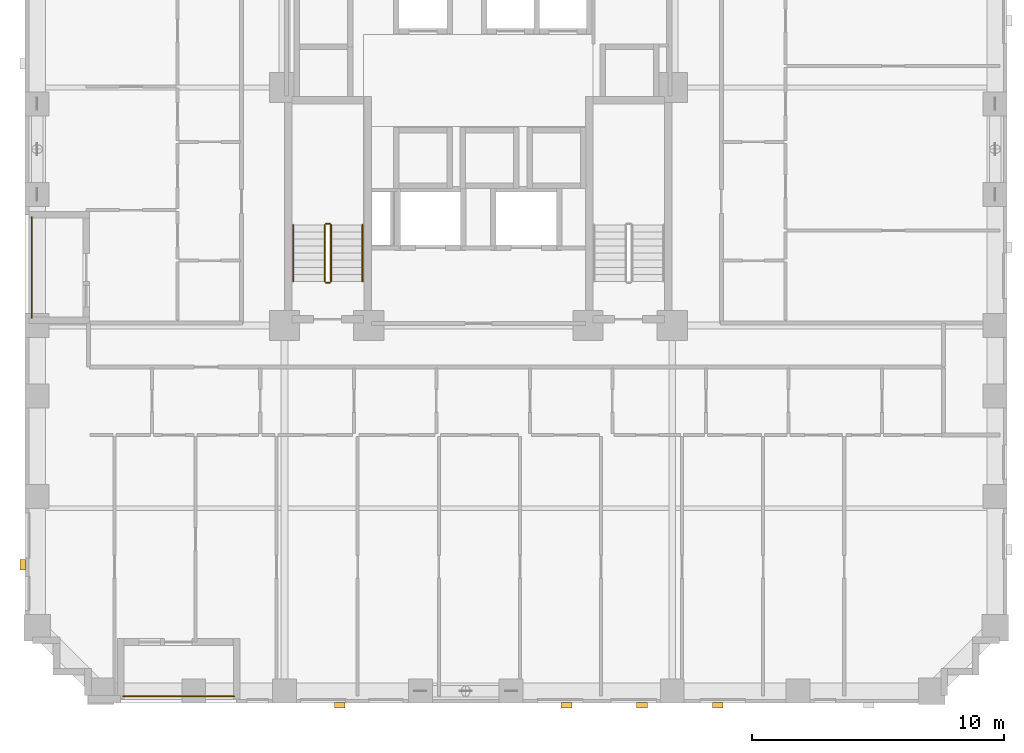
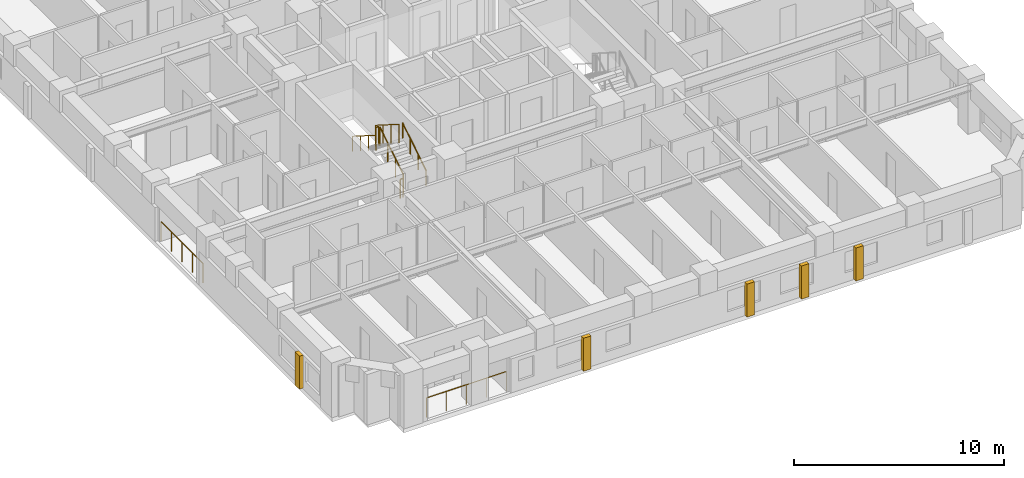
# One storey, part 12 of 14: 8 railings, 5 coverings.
"""IFC4 building model written with IfcOpenShell, lengths in metres."""

from ifc_helpers import new_model, si_unit, derived_unit, direction, frame, origin, origin_2d, place, context, subcontext, project, spatial, rectangle, circle, extrude, material, layer, layer_set, type_object, element, save


model = new_model("IFC4")

# Units and contexts
model_context = context("Model", 3, precision=1e-05, world=origin(), true_north=direction((0.0, 1.0)))
body_context = subcontext(model_context, "Body", "Model", "MODEL_VIEW")
ifc_project = project(units=[si_unit("LENGTHUNIT", "METRE"), si_unit("AREAUNIT", "SQUARE_METRE"), si_unit("VOLUMEUNIT", "CUBIC_METRE"), si_unit("PLANEANGLEUNIT", "RADIAN"), si_unit("MASSUNIT", "GRAM", prefix="KILO"), derived_unit("THERMALTRANSMITTANCEUNIT", [(si_unit("MASSUNIT", "GRAM", prefix="KILO"), 1), (si_unit("TIMEUNIT", "SECOND"), -3), (si_unit("THERMODYNAMICTEMPERATUREUNIT", "KELVIN"), -1)])], contexts=[model_context])

# Site, building, storey
site_placement = place(None, origin())
site = spatial("IfcSite", under=ifc_project, at=site_placement, CompositionType="ELEMENT")
building_placement = place(site_placement, origin())
building = spatial("IfcBuilding", under=site, at=building_placement, Name="Korrvale Station Residences", CompositionType="ELEMENT")
storey_placement = place(building_placement, frame((0.0, 0.0, 29.0)))
storey = spatial("IfcBuildingStorey", under=building, at=storey_placement, Name="L06", CompositionType="ELEMENT", Elevation=29.0)

# Coverings
ifc_material_1 = material(Name="Architectural precast concrete C45/55", Category="concrete")
ifc_layer = layer(ifc_material_1, 0.219970703125, Name="Architectural precast concrete C45/55")
ifc_layer_set = layer_set([ifc_layer], Name="Architectural precast concrete C45/55")
covering_type = type_object("IfcCoveringType", Name="COV-PIER-400", PredefinedType="CLADDING", material=ifc_layer_set)
for number, where, z_axis, x_axis, name in (
    (1, (35.0, -0.090087890625, 0.02490234375), (0.0, 0.0, 1.0), (1.0, 0.0, 0.0), "L06 Architectural Precast Facade Pier 02"),
    (2, (32.0, -0.090087890625, 0.02490234375), (0.0, 0.0, 1.0), (1.0, 0.0, 0.0), "L06 Architectural Precast Facade Pier 03"),
    (3, (29.0, -0.090087890625, 0.02490234375), (0.0, 0.0, 1.0), (1.0, 0.0, 0.0), "L06 Architectural Precast Facade Pier 04"),
    (4, (20.0, -0.090087890625, 0.02490234375), (0.0, 0.0, 1.0), (1.0, 0.0, 0.0), "L06 Architectural Precast Facade Pier 05"),
    (5, (7.409912109375, 5.5, 0.02490234375), (0.0, 0.0, 1.0), (0.0, 1.0, 0.0), "L06 Architectural Precast Facade Pier 12"),
):
    element("IfcCovering", number, at=place(storey_placement, frame(where, z_axis=z_axis, x_axis=x_axis)), inside=storey, type_object=covering_type, Name=name, PredefinedType="CLADDING", context=body_context, shape_type="SweptSolid", body=[
        extrude(rectangle(XDim=0.419921875, YDim=0.219970703125, at=origin_2d()), origin(), (0.0, 0.0, 1.0), 1.925048828125),
    ])

# Railings
ifc_material_2 = material(Name="Powder-coated aluminium picket loggia guard", Category="aluminium")
railing_type_1 = type_object("IfcRailingType", Name="RLG-BAL-1150", PredefinedType="GUARDRAIL", material=ifc_material_2)
railing_1_placement = place(storey_placement, frame((11.39990234375, 0.27001953125, 0.0)))
element("IfcRailing", 6, at=railing_1_placement, inside=storey, type_object=railing_type_1, Name="L06 Recessed Loggia Guardrail BAL-L06-S1", PredefinedType="GUARDRAIL", context=body_context, shape_type="SweptSolid", body=[
    extrude(circle(Radius=0.02392578125, at=origin_2d()), frame((0.0, 0.0, 1.1259765625), z_axis=(1.0, 0.0, 0.0), x_axis=(0.0, 1.0, 0.0)), (0.0, 0.0, 1.0), 4.400146484375),
    extrude(circle(Radius=0.02099609375, at=origin_2d()), origin(), (0.0, 0.0, 1.0), 1.101806640625),
    extrude(circle(Radius=0.02099609375, at=origin_2d()), frame((1.10009765625, 0.0, 0.0)), (0.0, 0.0, 1.0), 1.101806640625),
    extrude(circle(Radius=0.02099609375, at=origin_2d()), frame((2.2001953125, 0.0, 0.0)), (0.0, 0.0, 1.0), 1.101806640625),
    extrude(circle(Radius=0.02099609375, at=origin_2d()), frame((3.300048828125, 0.0, 0.0)), (0.0, 0.0, 1.0), 1.101806640625),
    extrude(circle(Radius=0.02099609375, at=origin_2d()), frame((4.400146484375, 0.0, 0.0)), (0.0, 0.0, 1.0), 1.101806640625),
])
railing_2_placement = place(storey_placement, frame((7.77001953125, 15.300048828125, 0.0)))
element("IfcRailing", 7, at=railing_2_placement, inside=storey, type_object=railing_type_1, Name="L06 Recessed Loggia Guardrail BAL-L06-W1", PredefinedType="GUARDRAIL", context=body_context, shape_type="SweptSolid", body=[
    extrude(circle(Radius=0.02392578125, at=origin_2d()), frame((0.0, 0.0, 1.1259765625), z_axis=(0.0, 1.0, 0.0), x_axis=(-1.0, 0.0, 0.0)), (0.0, 0.0, 1.0), 4.0),
    extrude(circle(Radius=0.02099609375, at=origin_2d()), origin(), (0.0, 0.0, 1.0), 1.101806640625),
    extrude(circle(Radius=0.02099609375, at=origin_2d()), frame((0.0, 1.0, 0.0)), (0.0, 0.0, 1.0), 1.101806640625),
    extrude(circle(Radius=0.02099609375, at=origin_2d()), frame((0.0, 2.0, 0.0)), (0.0, 0.0, 1.0), 1.101806640625),
    extrude(circle(Radius=0.02099609375, at=origin_2d()), frame((0.0, 3.0, 0.0)), (0.0, 0.0, 1.0), 1.101806640625),
    extrude(circle(Radius=0.02099609375, at=origin_2d()), frame((0.0, 4.0, 0.0)), (0.0, 0.0, 1.0), 1.101806640625),
])
ifc_material_3 = material(Name="Brushed stainless-steel continuous stair handrail", Category="steel")
railing_type_2 = type_object("IfcRailingType", Name="RLG-SHND-900", PredefinedType="HANDRAIL", material=ifc_material_3)
railing_3_placement = place(storey_placement, frame((20.89990234375, 16.75, 0.177734375)))
element("IfcRailing", 8, at=railing_3_placement, inside=storey, type_object=railing_type_2, Name="L06 ST-1 stair handrail 1", PredefinedType="HANDRAIL", context=body_context, shape_type="SweptSolid", body=[
    extrude(circle(Radius=0.02392578125, at=origin_2d()), frame((0.0, 0.0, 0.8759765625), z_axis=(0.0, 0.84418770128, 0.536047689118), x_axis=(-1.0, 0.0, 0.0)), (0.0, 0.0, 1.0), 2.6533203125),
    extrude(circle(Radius=0.02099609375, at=origin_2d()), origin(), (0.0, 0.0, 1.0), 0.851806640625),
    extrude(circle(Radius=0.02099609375, at=origin_2d()), frame((0.0, 0.74658203125, 0.47412109375)), (0.0, 0.0, 1.0), 0.851806640625),
    extrude(circle(Radius=0.02099609375, at=origin_2d()), frame((0.0, 1.493408203125, 0.9482421875)), (0.0, 0.0, 1.0), 0.851806640625),
    extrude(circle(Radius=0.02099609375, at=origin_2d()), frame((0.0, 2.239990234375, 1.42236328125)), (0.0, 0.0, 1.0), 0.851806640625),
])
railing_4_placement = place(storey_placement, frame((18.14990234375, 18.989990234375, 1.77783203125)))
element("IfcRailing", 9, at=railing_4_placement, inside=storey, type_object=railing_type_2, Name="L06 ST-1 stair handrail 2", PredefinedType="HANDRAIL", context=body_context, shape_type="SweptSolid", body=[
    extrude(circle(Radius=0.02392578125, at=origin_2d()), frame((0.0, 0.0, 0.8759765625), z_axis=(0.0, -0.8442293374, 0.53598211339), x_axis=(1.0, 0.0, 0.0)), (0.0, 0.0, 1.0), 2.6533203125),
    extrude(circle(Radius=0.02099609375, at=origin_2d()), origin(), (0.0, 0.0, 1.0), 0.851806640625),
    extrude(circle(Radius=0.02099609375, at=origin_2d()), frame((0.0, -0.74658203125, 0.47412109375)), (0.0, 0.0, 1.0), 0.851806640625),
    extrude(circle(Radius=0.02099609375, at=origin_2d()), frame((0.0, -1.493408203125, 0.947998046875)), (0.0, 0.0, 1.0), 0.851806640625),
    extrude(circle(Radius=0.02099609375, at=origin_2d()), frame((0.0, -2.239990234375, 1.422119140625)), (0.0, 0.0, 1.0), 0.851806640625),
])
ifc_material_4 = material(Name="Galvanised painted tubular steel stair guard", Category="steel")
railing_type_3 = type_object("IfcRailingType", Name="RLG-STR-1100", PredefinedType="GUARDRAIL", material=ifc_material_4)
railing_5_placement = place(storey_placement, frame((19.64990234375, 16.75, 0.177734375)))
element("IfcRailing", 10, at=railing_5_placement, inside=storey, type_object=railing_type_3, Name="L06 ST-1 stair guard 1", PredefinedType="GUARDRAIL", context=body_context, shape_type="SweptSolid", body=[
    extrude(circle(Radius=0.02392578125, at=origin_2d()), frame((0.0, 0.0, 1.076171875), z_axis=(0.0, 0.84418770128, 0.536047689118), x_axis=(-1.0, 0.0, 0.0)), (0.0, 0.0, 1.0), 2.6533203125),
    extrude(circle(Radius=0.02099609375, at=origin_2d()), origin(), (0.0, 0.0, 1.0), 1.052001953125),
    extrude(circle(Radius=0.02099609375, at=origin_2d()), frame((0.0, 0.74658203125, 0.47412109375)), (0.0, 0.0, 1.0), 1.052001953125),
    extrude(circle(Radius=0.02099609375, at=origin_2d()), frame((0.0, 1.493408203125, 0.9482421875)), (0.0, 0.0, 1.0), 1.052001953125),
    extrude(circle(Radius=0.02099609375, at=origin_2d()), frame((0.0, 2.239990234375, 1.42236328125)), (0.0, 0.0, 1.0), 1.052001953125),
])
railing_6_placement = place(storey_placement, frame((19.60009765625, 19.0400390625, 1.60009765625)))
element("IfcRailing", 11, at=railing_6_placement, inside=storey, type_object=railing_type_3, Name="L06 ST-1 stair guard 2", PredefinedType="GUARDRAIL", context=body_context, shape_type="SweptSolid", body=[
    extrude(circle(Radius=0.02392578125, at=origin_2d()), frame((0.0, 0.0, 1.076171875), z_axis=(-1.0, 0.0, 0.0), x_axis=(0.0, -1.0, 0.0)), (0.0, 0.0, 1.0), 0.150146484375),
    extrude(circle(Radius=0.02099609375, at=origin_2d()), origin(), (0.0, 0.0, 1.0), 1.052001953125),
    extrude(circle(Radius=0.02099609375, at=origin_2d()), frame((-0.150146484375, 0.0, 0.0)), (0.0, 0.0, 1.0), 1.052001953125),
])
railing_7_placement = place(storey_placement, frame((19.39990234375, 18.989990234375, 1.77783203125)))
element("IfcRailing", 12, at=railing_7_placement, inside=storey, type_object=railing_type_3, Name="L06 ST-1 stair guard 3", PredefinedType="GUARDRAIL", context=body_context, shape_type="SweptSolid", body=[
    extrude(circle(Radius=0.02392578125, at=origin_2d()), frame((0.0, 0.0, 1.076171875), z_axis=(0.0, -0.8442293374, 0.53598211339), x_axis=(1.0, 0.0, 0.0)), (0.0, 0.0, 1.0), 2.6533203125),
    extrude(circle(Radius=0.02099609375, at=origin_2d()), origin(), (0.0, 0.0, 1.0), 1.052001953125),
    extrude(circle(Radius=0.02099609375, at=origin_2d()), frame((0.0, -0.74658203125, 0.47412109375)), (0.0, 0.0, 1.0), 1.052001953125),
    extrude(circle(Radius=0.02099609375, at=origin_2d()), frame((0.0, -1.493408203125, 0.947998046875)), (0.0, 0.0, 1.0), 1.052001953125),
    extrude(circle(Radius=0.02099609375, at=origin_2d()), frame((0.0, -2.239990234375, 1.422119140625)), (0.0, 0.0, 1.0), 1.052001953125),
])
railing_8_placement = place(storey_placement, frame((19.60009765625, 16.699951171875, 0.0)))
element("IfcRailing", 13, at=railing_8_placement, inside=storey, type_object=railing_type_3, Name="L06 ST-1 stair guard 4", PredefinedType="GUARDRAIL", context=body_context, shape_type="SweptSolid", body=[
    extrude(circle(Radius=0.02392578125, at=origin_2d()), frame((0.0, 0.0, 1.076171875), z_axis=(-1.0, 0.0, 0.0), x_axis=(0.0, -1.0, 0.0)), (0.0, 0.0, 1.0), 0.150146484375),
    extrude(circle(Radius=0.02099609375, at=origin_2d()), origin(), (0.0, 0.0, 1.0), 1.052001953125),
    extrude(circle(Radius=0.02099609375, at=origin_2d()), frame((-0.150146484375, 0.0, 0.0)), (0.0, 0.0, 1.0), 1.052001953125),
])

save(model, "model.ifc")
